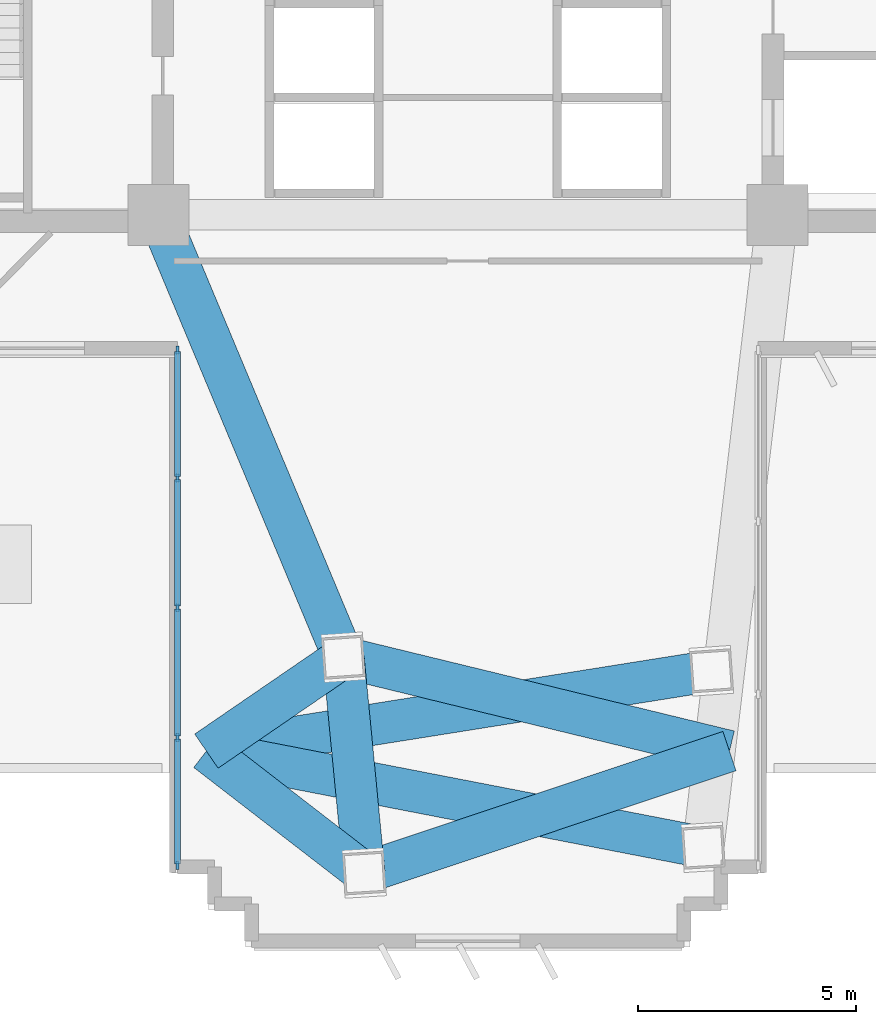
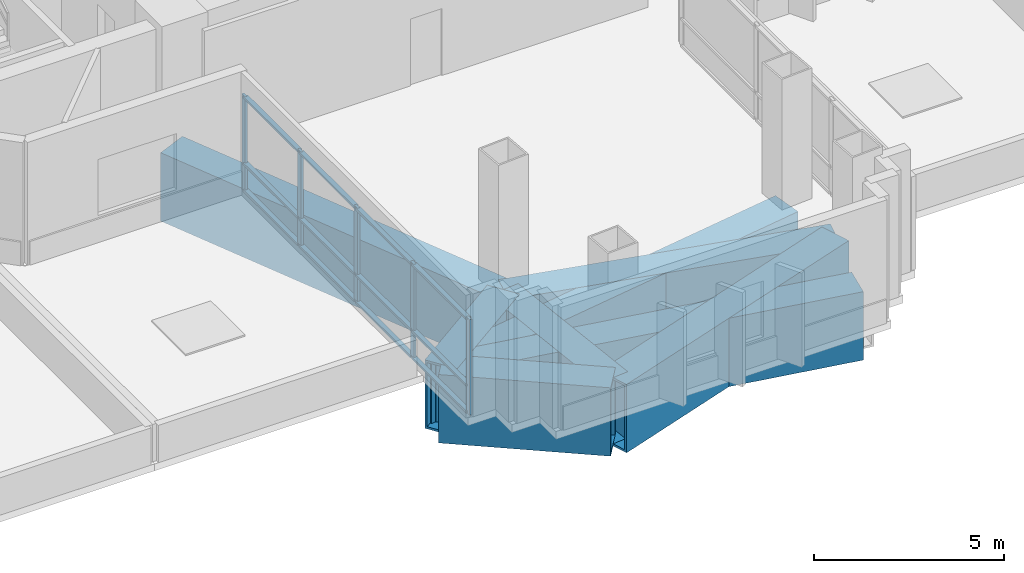
# One storey, part 2 of 15: 17 members, 8 beams, 1 element without a shape of its own.
"""IFC4 building model written with IfcOpenShell, lengths in metres."""

from ifc_helpers import new_model, si_unit, direction, frame, origin, origin_2d, place, context, subcontext, project, spatial, rectangle, hollow_rectangle, extrude, source, transform, mapped, material, layer, layer_set, material_profile, profile_set, type_object, element, aggregate, save


model = new_model("IFC4")

# Units and contexts
model_context = context("Model", 3, precision=1e-05, world=origin(), true_north=direction((0.0, 1.0)))
body_context = subcontext(model_context, "Body", "Model", "MODEL_VIEW")
ifc_project = project(units=[si_unit("LENGTHUNIT", "METRE"), si_unit("AREAUNIT", "SQUARE_METRE"), si_unit("VOLUMEUNIT", "CUBIC_METRE"), si_unit("PLANEANGLEUNIT", "RADIAN"), si_unit("MASSUNIT", "GRAM", prefix="KILO")], contexts=[model_context])

# Site, building, storey
site_placement = place(None, origin())
site = spatial("IfcSite", under=ifc_project, at=site_placement, CompositionType="ELEMENT")
building_placement = place(site_placement, origin())
building = spatial("IfcBuilding", under=site, at=building_placement, Name="Zahravan Cultural Tower", CompositionType="ELEMENT")
storey_placement = place(building_placement, frame((0.0, 0.0, 29.10009765625)))
storey = spatial("IfcBuildingStorey", under=building, at=storey_placement, Name="L05", CompositionType="ELEMENT", Elevation=29.10009765625)

# Beams
ifc_material_1 = material(Name="Steel ASTM A572 Grade 50", Category="steel")
ifc_material_profile_1 = material_profile(ifc_material_1, hollow_rectangle(XDim=0.949951171875, YDim=2.199951171875, WallThickness=0.070068359375, at=origin_2d()), Name="BOX2200X950X70")
ifc_profile_set_1 = profile_set([ifc_material_profile_1], Name="Steel ASTM A572 Grade 50")
beam_type = type_object("IfcBeamType", Name="BM-TR-BOX2200", PredefinedType="BEAM", material=ifc_profile_set_1)
shared_shape_1 = source(origin(), body_context, "Body", "SweptSolid", [
    extrude(hollow_rectangle(XDim=0.949951171875, YDim=2.199951171875, WallThickness=0.070068359375, at=origin_2d()), origin(), (0.0, 0.0, 1.0), 10.997802734375),
])
beam_1_placement = place(storey_placement, frame((28.89990234375, 17.800048828125, -1.35009765625), z_axis=(0.385775211449, -0.922592806297, 0.0), x_axis=(0.922592806297, 0.385775211449, 0.0)))
element("IfcBeam", 1, at=beam_1_placement, inside=storey, type_object=beam_type, Name="L05 Beam TB-L05-10", PredefinedType="BEAM", context=body_context, shape_type="MappedRepresentation", body=[
    mapped(shared_shape_1, transform((0.0, 0.0, 0.0), x_axis=(1.0, 0.0, 0.0), y_axis=(0.0, 1.0, 0.0), z_axis=(0.0, 0.0, 1.0), scale=1.0)),
])
shared_shape_2 = source(origin(), body_context, "Body", "SweptSolid", [
    extrude(hollow_rectangle(XDim=0.949951171875, YDim=2.199951171875, WallThickness=0.070068359375, at=origin_2d()), origin(), (0.0, 0.0, 1.0), 3.8095703125),
])
beam_2_placement = place(storey_placement, frame((33.142578125, 7.653564453125, -1.35009765625), z_axis=(-0.824893635625, -0.565287970777, 0.0), x_axis=(0.565287970777, -0.824893635625, 0.0)))
element("IfcBeam", 2, at=beam_2_placement, inside=storey, type_object=beam_type, Name="L05 Beam TB-L05-11", PredefinedType="BEAM", context=body_context, shape_type="MappedRepresentation", body=[
    mapped(shared_shape_2, transform((0.0, 0.0, 0.0), x_axis=(1.0, 0.0, 0.0), y_axis=(0.0, 1.0, 0.0), z_axis=(0.0, 0.0, 1.0), scale=1.0)),
])
shared_shape_3 = source(origin(), body_context, "Body", "SweptSolid", [
    extrude(hollow_rectangle(XDim=0.949951171875, YDim=2.199951171875, WallThickness=0.070068359375, at=origin_2d()), origin(), (0.0, 0.0, 1.0), 9.115478515625),
])
beam_3_placement = place(storey_placement, frame((33.142578125, 7.653564453125, -1.35009765625), z_axis=(0.971691370569, -0.236253847293, 0.0), x_axis=(0.236253847293, 0.971691370569, 0.0)))
element("IfcBeam", 3, at=beam_3_placement, inside=storey, type_object=beam_type, Name="L05 Beam TB-L05-12", PredefinedType="BEAM", context=body_context, shape_type="MappedRepresentation", body=[
    mapped(shared_shape_3, transform((0.0, 0.0, 0.0), x_axis=(1.0, 0.0, 0.0), y_axis=(0.0, 1.0, 0.0), z_axis=(0.0, 0.0, 1.0), scale=1.0)),
])
shared_shape_4 = source(origin(), body_context, "Body", "SweptSolid", [
    extrude(hollow_rectangle(XDim=0.949951171875, YDim=2.199951171875, WallThickness=0.070068359375, at=origin_2d()), origin(), (0.0, 0.0, 1.0), 4.57568359375),
])
beam_4_placement = place(storey_placement, frame((33.620849609375, 2.70263671875, -1.35009765625), z_axis=(-0.791344843577, 0.611370050415, 0.0), x_axis=(-0.611370050415, -0.791344843577, 0.0)))
element("IfcBeam", 4, at=beam_4_placement, inside=storey, type_object=beam_type, Name="L05 Beam TB-L05-14", PredefinedType="BEAM", context=body_context, shape_type="MappedRepresentation", body=[
    mapped(shared_shape_4, transform((0.0, 0.0, 0.0), x_axis=(1.0, 0.0, 0.0), y_axis=(0.0, 1.0, 0.0), z_axis=(0.0, 0.0, 1.0), scale=1.0)),
])
shared_shape_5 = source(origin(), body_context, "Body", "SweptSolid", [
    extrude(hollow_rectangle(XDim=0.949951171875, YDim=2.199951171875, WallThickness=0.070068359375, at=origin_2d()), origin(), (0.0, 0.0, 1.0), 8.833740234375),
])
beam_5_placement = place(storey_placement, frame((33.620849609375, 2.70263671875, -1.35009765625), z_axis=(0.948536719059, 0.316667163748, 0.0), x_axis=(-0.316667163748, 0.948536719059, 0.0)))
element("IfcBeam", 5, at=beam_5_placement, inside=storey, type_object=beam_type, Name="L05 Beam TB-L05-15", PredefinedType="BEAM", context=body_context, shape_type="MappedRepresentation", body=[
    mapped(shared_shape_5, transform((0.0, 0.0, 0.0), x_axis=(1.0, 0.0, 0.0), y_axis=(0.0, 1.0, 0.0), z_axis=(0.0, 0.0, 1.0), scale=1.0)),
])
shared_shape_6 = source(origin(), body_context, "Body", "SweptSolid", [
    extrude(hollow_rectangle(XDim=0.949951171875, YDim=2.199951171875, WallThickness=0.070068359375, at=origin_2d()), origin(), (0.0, 0.0, 1.0), 11.611328125),
])
beam_6_placement = place(storey_placement, frame((41.3994140625, 3.292236328125, -1.35009765625), z_axis=(-0.981756940259, 0.190140238387, 0.0), x_axis=(-0.190140238387, -0.981756940259, 0.0)))
element("IfcBeam", 6, at=beam_6_placement, inside=storey, type_object=beam_type, Name="L05 Beam TB-L05-18", PredefinedType="BEAM", context=body_context, shape_type="MappedRepresentation", body=[
    mapped(shared_shape_6, transform((0.0, 0.0, 0.0), x_axis=(1.0, 0.0, 0.0), y_axis=(0.0, 1.0, 0.0), z_axis=(0.0, 0.0, 1.0), scale=1.0)),
])
shared_shape_7 = source(origin(), body_context, "Body", "SweptSolid", [
    extrude(hollow_rectangle(XDim=0.949951171875, YDim=2.199951171875, WallThickness=0.070068359375, at=origin_2d()), origin(), (0.0, 0.0, 1.0), 11.73046875),
])
beam_7_placement = place(storey_placement, frame((41.5849609375, 7.341796875, -1.35009765625), z_axis=(-0.987597034651, -0.157009863218, 0.0), x_axis=(0.157009863218, -0.987597034651, 0.0)))
element("IfcBeam", 7, at=beam_7_placement, inside=storey, type_object=beam_type, Name="L05 Beam TB-L05-21", PredefinedType="BEAM", context=body_context, shape_type="MappedRepresentation", body=[
    mapped(shared_shape_7, transform((0.0, 0.0, 0.0), x_axis=(1.0, 0.0, 0.0), y_axis=(0.0, 1.0, 0.0), z_axis=(0.0, 0.0, 1.0), scale=1.0)),
])
shared_shape_8 = source(origin(), body_context, "Body", "SweptSolid", [
    extrude(hollow_rectangle(XDim=0.949951171875, YDim=2.199951171875, WallThickness=0.070068359375, at=origin_2d()), origin(), (0.0, 0.0, 1.0), 4.973876953125),
])
beam_8_placement = place(storey_placement, frame((33.142578125, 7.653564453125, -1.35009765625), z_axis=(0.096154779131, -0.995366394073, 0.0), x_axis=(0.995366394073, 0.096154779131, 0.0)))
element("IfcBeam", 8, at=beam_8_placement, inside=storey, type_object=beam_type, Name="L05 Beam TB-L05-44", PredefinedType="BEAM", context=body_context, shape_type="MappedRepresentation", body=[
    mapped(shared_shape_8, transform((0.0, 0.0, 0.0), x_axis=(1.0, 0.0, 0.0), y_axis=(0.0, 1.0, 0.0), z_axis=(0.0, 0.0, 1.0), scale=1.0)),
])

# Curtain wall, members
ifc_material_2 = material(Name="Anodised bronze-aluminium mullion", Category="aluminium")
ifc_layer = layer(ifc_material_2, 0.179931640625)
ifc_layer_set = layer_set([ifc_layer], Name="Anodised bronze-aluminium mullion")
curtain_wall_type = type_object("IfcCurtainWallType", Name="CW-SYS-3", PredefinedType="USERDEFINED", material=ifc_layer_set)
curtain_wall_placement = place(storey_placement, origin())
curtain_wall = element("IfcCurtainWall", 9, at=curtain_wall_placement, inside=storey, type_object=curtain_wall_type, Name="L05 Recessed Curtain Wall CW-3.2", ObjectType="RECESSED GLAZING", PredefinedType="USERDEFINED")
ifc_material_profile_2 = material_profile(ifc_material_2, rectangle(XDim=0.070068359375, YDim=0.179931640625, at=origin_2d()), Name="AL-M70X180")
ifc_profile_set_2 = profile_set([ifc_material_profile_2], Name="Anodised bronze-aluminium mullion")
member_type_1 = type_object("IfcMemberType", Name="CWM-CW-3", PredefinedType="MULLION", material=ifc_profile_set_2)
shared_shape_9 = source(origin(), body_context, "Body", "SweptSolid", [
    extrude(rectangle(XDim=0.070068359375, YDim=0.179931640625, at=origin_2d()), origin(), (0.0, 0.0, 1.0), 3.06982421875),
])
member_1_placement = place(storey_placement, frame((29.340087890625, 2.875, 0.0), z_axis=(0.0, 0.0, 1.0), x_axis=(-1.0, 0.0, 0.0)))
member_1 = element("IfcMember", 10, at=member_1_placement, type_object=member_type_1, Name="CW-3 mullion 1", PredefinedType="MULLION", context=body_context, shape_type="MappedRepresentation", body=[
    mapped(shared_shape_9, transform((0.0, 0.0, 0.0), x_axis=(1.0, 0.0, 0.0), y_axis=(0.0, 1.0, 0.0), z_axis=(0.0, 0.0, 1.0), scale=1.0)),
])
member_2_placement = place(storey_placement, frame((29.340087890625, 5.81494140625, 0.0), z_axis=(0.0, 0.0, 1.0), x_axis=(-1.0, 0.0, 0.0)))
member_2 = element("IfcMember", 11, at=member_2_placement, type_object=member_type_1, Name="CW-3 mullion 2", PredefinedType="MULLION", context=body_context, shape_type="MappedRepresentation", body=[
    mapped(shared_shape_9, transform((0.0, 0.0, 0.0), x_axis=(1.0, 0.0, 0.0), y_axis=(0.0, 1.0, 0.0), z_axis=(0.0, 0.0, 1.0), scale=1.0)),
])
member_3_placement = place(storey_placement, frame((29.340087890625, 8.7900390625, 0.0), z_axis=(0.0, 0.0, 1.0), x_axis=(-1.0, 0.0, 0.0)))
member_3 = element("IfcMember", 12, at=member_3_placement, type_object=member_type_1, Name="CW-3 mullion 3", PredefinedType="MULLION", context=body_context, shape_type="MappedRepresentation", body=[
    mapped(shared_shape_9, transform((0.0, 0.0, 0.0), x_axis=(1.0, 0.0, 0.0), y_axis=(0.0, 1.0, 0.0), z_axis=(0.0, 0.0, 1.0), scale=1.0)),
])
member_4_placement = place(storey_placement, frame((29.340087890625, 11.764892578125, 0.0), z_axis=(0.0, 0.0, 1.0), x_axis=(-1.0, 0.0, 0.0)))
member_4 = element("IfcMember", 13, at=member_4_placement, type_object=member_type_1, Name="CW-3 mullion 4", PredefinedType="MULLION", context=body_context, shape_type="MappedRepresentation", body=[
    mapped(shared_shape_9, transform((0.0, 0.0, 0.0), x_axis=(1.0, 0.0, 0.0), y_axis=(0.0, 1.0, 0.0), z_axis=(0.0, 0.0, 1.0), scale=1.0)),
])
member_5_placement = place(storey_placement, frame((29.340087890625, 14.705078125, 0.0), z_axis=(0.0, 0.0, 1.0), x_axis=(-1.0, 0.0, 0.0)))
member_5 = element("IfcMember", 14, at=member_5_placement, type_object=member_type_1, Name="CW-3 mullion 5", PredefinedType="MULLION", context=body_context, shape_type="MappedRepresentation", body=[
    mapped(shared_shape_9, transform((0.0, 0.0, 0.0), x_axis=(1.0, 0.0, 0.0), y_axis=(0.0, 1.0, 0.0), z_axis=(0.0, 0.0, 1.0), scale=1.0)),
])
ifc_material_profile_3 = material_profile(ifc_material_2, rectangle(XDim=0.139892578125, YDim=0.070068359375, at=origin_2d()), Name="AL-T70X140")
ifc_profile_set_3 = profile_set([ifc_material_profile_3], Name="Anodised bronze-aluminium mullion")
member_type_2 = type_object("IfcMemberType", Name="CWT-CW-3", PredefinedType="USERDEFINED", material=ifc_profile_set_3)
shared_shape_10 = source(origin(), body_context, "Body", "SweptSolid", [
    extrude(rectangle(XDim=0.139892578125, YDim=0.070068359375, at=origin_2d()), origin(), (0.0, 0.0, 1.0), 2.8701171875),
])
member_6_placement = place(storey_placement, frame((29.340087890625, 2.909912109375, 0.034912109375), z_axis=(0.0, 1.0, 0.0), x_axis=(-1.0, 0.0, 0.0)))
member_6 = element("IfcMember", 15, at=member_6_placement, type_object=member_type_2, Name="CW-3 transom 1.1", ObjectType="TRANSOM", PredefinedType="USERDEFINED", context=body_context, shape_type="MappedRepresentation", body=[
    mapped(shared_shape_10, transform((0.0, 0.0, 0.0), x_axis=(1.0, 0.0, 0.0), y_axis=(0.0, 1.0, 0.0), z_axis=(0.0, 0.0, 1.0), scale=1.0)),
])
member_7_placement = place(storey_placement, frame((29.340087890625, 2.909912109375, 0.89990234375), z_axis=(0.0, 1.0, 0.0), x_axis=(-1.0, 0.0, 0.0)))
member_7 = element("IfcMember", 16, at=member_7_placement, type_object=member_type_2, Name="CW-3 transom 1.2", ObjectType="TRANSOM", PredefinedType="USERDEFINED", context=body_context, shape_type="MappedRepresentation", body=[
    mapped(shared_shape_10, transform((0.0, 0.0, 0.0), x_axis=(1.0, 0.0, 0.0), y_axis=(0.0, 1.0, 0.0), z_axis=(0.0, 0.0, 1.0), scale=1.0)),
])
member_8_placement = place(storey_placement, frame((29.340087890625, 2.909912109375, 3.034912109375), z_axis=(0.0, 1.0, 0.0), x_axis=(-1.0, 0.0, 0.0)))
member_8 = element("IfcMember", 17, at=member_8_placement, type_object=member_type_2, Name="CW-3 transom 1.3", ObjectType="TRANSOM", PredefinedType="USERDEFINED", context=body_context, shape_type="MappedRepresentation", body=[
    mapped(shared_shape_10, transform((0.0, 0.0, 0.0), x_axis=(1.0, 0.0, 0.0), y_axis=(0.0, 1.0, 0.0), z_axis=(0.0, 0.0, 1.0), scale=1.0)),
])
shared_shape_11 = source(origin(), body_context, "Body", "SweptSolid", [
    extrude(rectangle(XDim=0.139892578125, YDim=0.070068359375, at=origin_2d()), origin(), (0.0, 0.0, 1.0), 2.90478515625),
])
member_9_placement = place(storey_placement, frame((29.340087890625, 5.85009765625, 0.034912109375), z_axis=(0.0, 1.0, 0.0), x_axis=(-1.0, 0.0, 0.0)))
member_9 = element("IfcMember", 18, at=member_9_placement, type_object=member_type_2, Name="CW-3 transom 2.1", ObjectType="TRANSOM", PredefinedType="USERDEFINED", context=body_context, shape_type="MappedRepresentation", body=[
    mapped(shared_shape_11, transform((0.0, 0.0, 0.0), x_axis=(1.0, 0.0, 0.0), y_axis=(0.0, 1.0, 0.0), z_axis=(0.0, 0.0, 1.0), scale=1.0)),
])
member_10_placement = place(storey_placement, frame((29.340087890625, 5.85009765625, 0.89990234375), z_axis=(0.0, 1.0, 0.0), x_axis=(-1.0, 0.0, 0.0)))
member_10 = element("IfcMember", 19, at=member_10_placement, type_object=member_type_2, Name="CW-3 transom 2.2", ObjectType="TRANSOM", PredefinedType="USERDEFINED", context=body_context, shape_type="MappedRepresentation", body=[
    mapped(shared_shape_11, transform((0.0, 0.0, 0.0), x_axis=(1.0, 0.0, 0.0), y_axis=(0.0, 1.0, 0.0), z_axis=(0.0, 0.0, 1.0), scale=1.0)),
])
member_11_placement = place(storey_placement, frame((29.340087890625, 5.85009765625, 3.034912109375), z_axis=(0.0, 1.0, 0.0), x_axis=(-1.0, 0.0, 0.0)))
member_11 = element("IfcMember", 20, at=member_11_placement, type_object=member_type_2, Name="CW-3 transom 2.3", ObjectType="TRANSOM", PredefinedType="USERDEFINED", context=body_context, shape_type="MappedRepresentation", body=[
    mapped(shared_shape_11, transform((0.0, 0.0, 0.0), x_axis=(1.0, 0.0, 0.0), y_axis=(0.0, 1.0, 0.0), z_axis=(0.0, 0.0, 1.0), scale=1.0)),
])
shared_shape_12 = source(origin(), body_context, "Body", "SweptSolid", [
    extrude(rectangle(XDim=0.139892578125, YDim=0.070068359375, at=origin_2d()), origin(), (0.0, 0.0, 1.0), 2.905029296875),
])
member_12_placement = place(storey_placement, frame((29.340087890625, 8.824951171875, 0.034912109375), z_axis=(0.0, 1.0, 0.0), x_axis=(-1.0, 0.0, 0.0)))
member_12 = element("IfcMember", 21, at=member_12_placement, type_object=member_type_2, Name="CW-3 transom 3.1", ObjectType="TRANSOM", PredefinedType="USERDEFINED", context=body_context, shape_type="MappedRepresentation", body=[
    mapped(shared_shape_12, transform((0.0, 0.0, 0.0), x_axis=(1.0, 0.0, 0.0), y_axis=(0.0, 1.0, 0.0), z_axis=(0.0, 0.0, 1.0), scale=1.0)),
])
member_13_placement = place(storey_placement, frame((29.340087890625, 8.824951171875, 0.89990234375), z_axis=(0.0, 1.0, 0.0), x_axis=(-1.0, 0.0, 0.0)))
member_13 = element("IfcMember", 22, at=member_13_placement, type_object=member_type_2, Name="CW-3 transom 3.2", ObjectType="TRANSOM", PredefinedType="USERDEFINED", context=body_context, shape_type="MappedRepresentation", body=[
    mapped(shared_shape_12, transform((0.0, 0.0, 0.0), x_axis=(1.0, 0.0, 0.0), y_axis=(0.0, 1.0, 0.0), z_axis=(0.0, 0.0, 1.0), scale=1.0)),
])
member_14_placement = place(storey_placement, frame((29.340087890625, 8.824951171875, 3.034912109375), z_axis=(0.0, 1.0, 0.0), x_axis=(-1.0, 0.0, 0.0)))
member_14 = element("IfcMember", 23, at=member_14_placement, type_object=member_type_2, Name="CW-3 transom 3.3", ObjectType="TRANSOM", PredefinedType="USERDEFINED", context=body_context, shape_type="MappedRepresentation", body=[
    mapped(shared_shape_12, transform((0.0, 0.0, 0.0), x_axis=(1.0, 0.0, 0.0), y_axis=(0.0, 1.0, 0.0), z_axis=(0.0, 0.0, 1.0), scale=1.0)),
])
shared_shape_13 = source(origin(), body_context, "Body", "SweptSolid", [
    extrude(rectangle(XDim=0.139892578125, YDim=0.070068359375, at=origin_2d()), origin(), (0.0, 0.0, 1.0), 2.869873046875),
])
member_15_placement = place(storey_placement, frame((29.340087890625, 11.800048828125, 0.034912109375), z_axis=(0.0, 1.0, 0.0), x_axis=(-1.0, 0.0, 0.0)))
member_15 = element("IfcMember", 24, at=member_15_placement, type_object=member_type_2, Name="CW-3 transom 4.1", ObjectType="TRANSOM", PredefinedType="USERDEFINED", context=body_context, shape_type="MappedRepresentation", body=[
    mapped(shared_shape_13, transform((0.0, 0.0, 0.0), x_axis=(1.0, 0.0, 0.0), y_axis=(0.0, 1.0, 0.0), z_axis=(0.0, 0.0, 1.0), scale=1.0)),
])
member_16_placement = place(storey_placement, frame((29.340087890625, 11.800048828125, 0.89990234375), z_axis=(0.0, 1.0, 0.0), x_axis=(-1.0, 0.0, 0.0)))
member_16 = element("IfcMember", 25, at=member_16_placement, type_object=member_type_2, Name="CW-3 transom 4.2", ObjectType="TRANSOM", PredefinedType="USERDEFINED", context=body_context, shape_type="MappedRepresentation", body=[
    mapped(shared_shape_13, transform((0.0, 0.0, 0.0), x_axis=(1.0, 0.0, 0.0), y_axis=(0.0, 1.0, 0.0), z_axis=(0.0, 0.0, 1.0), scale=1.0)),
])
member_17_placement = place(storey_placement, frame((29.340087890625, 11.800048828125, 3.034912109375), z_axis=(0.0, 1.0, 0.0), x_axis=(-1.0, 0.0, 0.0)))
member_17 = element("IfcMember", 26, at=member_17_placement, type_object=member_type_2, Name="CW-3 transom 4.3", ObjectType="TRANSOM", PredefinedType="USERDEFINED", context=body_context, shape_type="MappedRepresentation", body=[
    mapped(shared_shape_13, transform((0.0, 0.0, 0.0), x_axis=(1.0, 0.0, 0.0), y_axis=(0.0, 1.0, 0.0), z_axis=(0.0, 0.0, 1.0), scale=1.0)),
])
aggregate(curtain_wall, [member_1, member_2, member_3, member_4, member_5, member_6, member_7, member_8, member_9, member_10, member_11, member_12, member_13, member_14, member_15, member_16, member_17])

save(model, "model.ifc")
